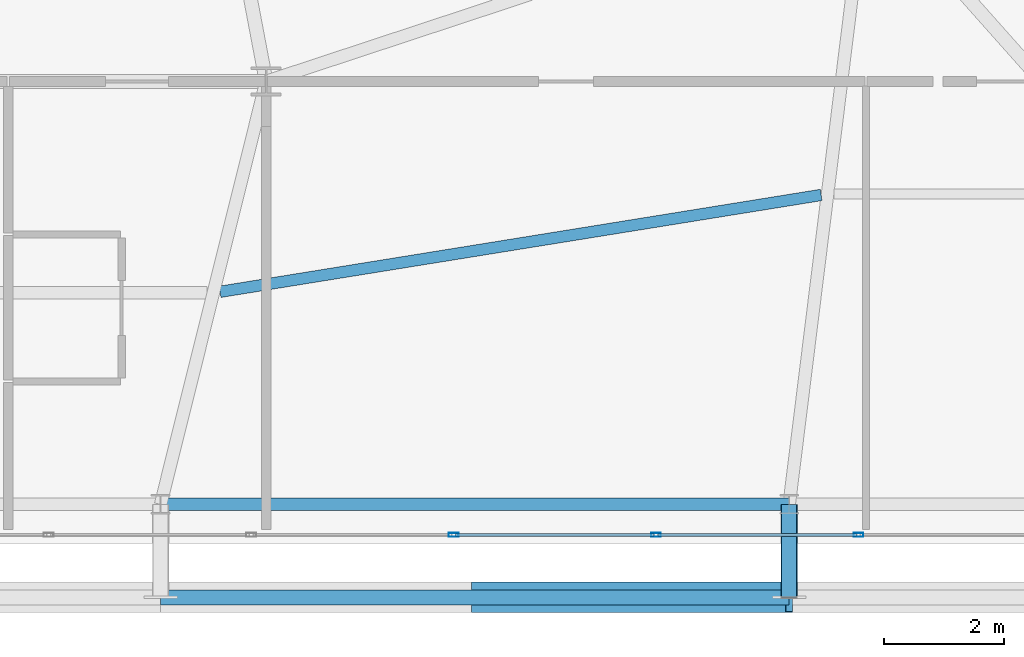
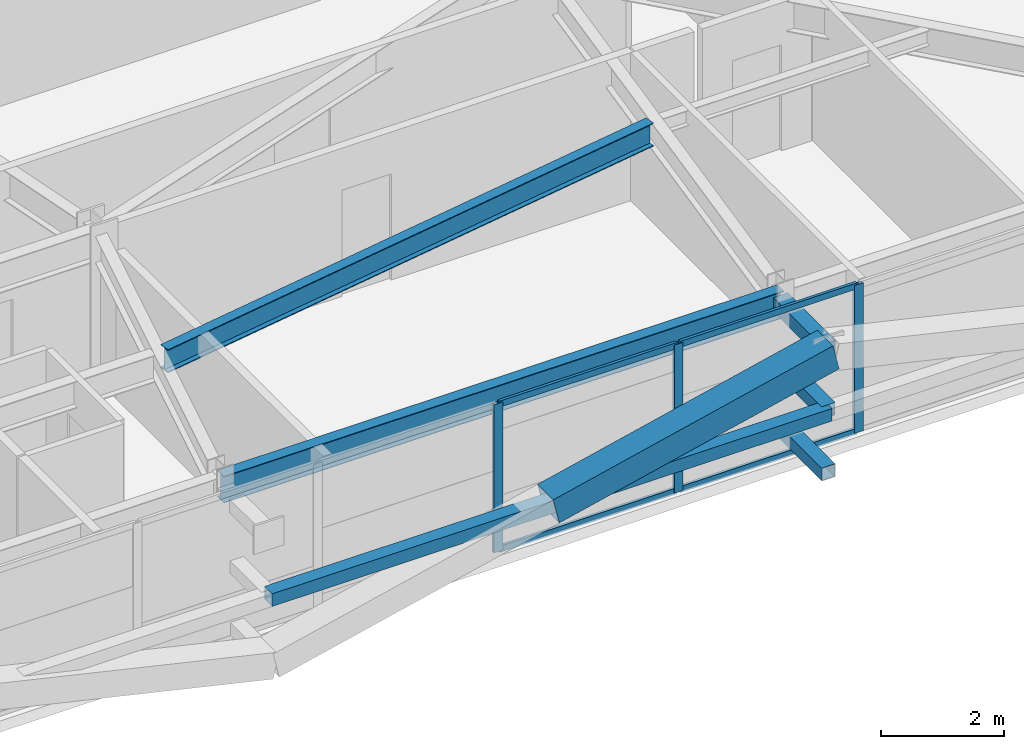
# One storey, part 21 of 59: 12 members, 2 beams, 1 element without a shape of its own.
"""IFC4 building model written with IfcOpenShell, lengths in metres."""

from ifc_helpers import new_model, si_unit, direction, frame, origin, origin_2d, place, context, subcontext, project, spatial, hollow_rectangle, i_section, extrude, source, transform, mapped, material, layer, layer_set, material_profile, profile_set, type_object, element, aggregate, save


model = new_model("IFC4")

# Units and contexts
model_context = context("Model", 3, precision=1e-05, world=origin(), true_north=direction((0.0, 1.0)))
body_context = subcontext(model_context, "Body", "Model", "MODEL_VIEW")
ifc_project = project(units=[si_unit("LENGTHUNIT", "METRE"), si_unit("AREAUNIT", "SQUARE_METRE"), si_unit("VOLUMEUNIT", "CUBIC_METRE"), si_unit("PLANEANGLEUNIT", "RADIAN"), si_unit("MASSUNIT", "GRAM", prefix="KILO")], contexts=[model_context])

# Site, building, storey
site_placement = place(None, origin())
site = spatial("IfcSite", under=ifc_project, at=site_placement, CompositionType="ELEMENT")
building_placement = place(site_placement, origin())
building = spatial("IfcBuilding", under=site, at=building_placement, Name="Taldren Reach Tower", CompositionType="ELEMENT")
storey_placement = place(building_placement, frame((0.0, 0.0, 45.14990234375)))
storey = spatial("IfcBuildingStorey", under=building, at=storey_placement, Name="L13", CompositionType="ELEMENT", Elevation=45.14990234375)

# Beams
ifc_material_1 = material(Name="Steel Gr 350 (350PLUS)", Category="steel")
ifc_material_profile_1 = material_profile(ifc_material_1, i_section(OverallWidth=0.208984375, OverallDepth=0.528076171875, WebThickness=0.009521484375, FlangeThickness=0.01318359375, at=origin_2d()), Name="530UB82.0")
ifc_profile_set_1 = profile_set([ifc_material_profile_1], Name="Steel Gr 350 (350PLUS)")
beam_type_1 = type_object("IfcBeamType", Name="SP-UB530B", PredefinedType="SPANDREL", material=ifc_profile_set_1)
shared_shape_1 = source(origin(), body_context, "Body", "SweptSolid", [
    extrude(i_section(OverallWidth=0.208984375, OverallDepth=0.528076171875, WebThickness=0.009521484375, FlangeThickness=0.01318359375, at=origin_2d()), origin(), (0.0, 0.0, 1.0), 10.47998046875),
])
beam_1_placement = place(storey_placement, frame((40.239990234375, 2.14990234375, 2.666015625), z_axis=(1.0, 0.0, 0.0), x_axis=(0.0, 1.0, 0.0)))
element("IfcBeam", 1, at=beam_1_placement, inside=storey, type_object=beam_type_1, Name="Perimeter spandrel B1 S4-S5 L13", PredefinedType="SPANDREL", context=body_context, shape_type="MappedRepresentation", body=[
    mapped(shared_shape_1, transform((0.0, 0.0, 0.0), scale=1.0)),
])
ifc_material_profile_2 = material_profile(ifc_material_1, i_section(OverallWidth=0.19091796875, OverallDepth=0.4599609375, WebThickness=0.010009765625, FlangeThickness=0.01611328125, at=origin_2d()), Name="460UB82.1")
ifc_profile_set_2 = profile_set([ifc_material_profile_2], Name="Steel Gr 350 (350PLUS)")
beam_type_2 = type_object("IfcBeamType", Name="BM-UB460A", PredefinedType="BEAM", material=ifc_profile_set_2)
shared_shape_2 = source(origin(), body_context, "Body", "SweptSolid", [
    extrude(i_section(OverallWidth=0.19091796875, OverallDepth=0.4599609375, WebThickness=0.010009765625, FlangeThickness=0.01611328125, at=origin_2d()), origin(), (0.0, 0.0, 1.0), 10.1494140625),
])
beam_2_placement = place(storey_placement, frame((41.232177734375, 5.693115234375, 2.7001953125), z_axis=(0.987266967452, 0.159072106224, 0.0), x_axis=(-0.159072106224, 0.987266967452, 0.0)))
element("IfcBeam", 2, at=beam_2_placement, inside=storey, type_object=beam_type_2, Name="Secondary floor beam B1 J4 L13", PredefinedType="BEAM", context=body_context, shape_type="MappedRepresentation", body=[
    mapped(shared_shape_2, transform((0.0, 0.0, 0.0), scale=1.0)),
])

# Members
ifc_material_2 = material(Name="Steel Gr 450 (C450L0)", Category="steel")
ifc_material_profile_3 = material_profile(ifc_material_2, hollow_rectangle(XDim=0.27490234375, YDim=0.27490234375, WallThickness=0.00927734375, at=origin_2d()), Name="275x275x9.3SHS")
ifc_profile_set_3 = profile_set([ifc_material_profile_3], Name="Steel Gr 450 (C450L0)")
member_type_1 = type_object("IfcMemberType", Name="MB-TIE273", PredefinedType="STRUT", material=ifc_profile_set_3)
shared_shape_3 = source(origin(), body_context, "Body", "SweptSolid", [
    extrude(hollow_rectangle(XDim=0.27490234375, YDim=0.27490234375, WallThickness=0.00927734375, at=origin_2d()), origin(), (0.0, 0.0, 1.0), 1.5498046875),
])
member_1_placement = place(storey_placement, frame((50.719970703125, 2.14990234375, 2.650146484375), z_axis=(0.0, -1.0, 0.0), x_axis=(1.0, 0.0, 0.0)))
element("IfcMember", 3, at=member_1_placement, inside=storey, type_object=member_type_1, Name="Exoskeleton diaphragm tie strut B1-S5 L13", PredefinedType="STRUT", context=body_context, shape_type="MappedRepresentation", body=[
    mapped(shared_shape_3, transform((0.0, 0.0, 0.0), scale=1.0)),
])
ifc_material_profile_4 = material_profile(ifc_material_2, hollow_rectangle(XDim=0.510009765625, YDim=0.510009765625, WallThickness=0.02001953125, at=origin_2d()), Name="510x510x20.0SHS")
ifc_profile_set_4 = profile_set([ifc_material_profile_4], Name="Steel Gr 450 (C450L0)")
member_type_2 = type_object("IfcMemberType", Name="MB-EXO508", PredefinedType="BRACE", material=ifc_profile_set_4)
shared_shape_4 = source(origin(), body_context, "Body", "SweptSolid", [
    extrude(hollow_rectangle(XDim=0.510009765625, YDim=0.510009765625, WallThickness=0.02001953125, at=origin_2d()), origin(), (0.0, 0.0, 1.0), 5.37890625),
])
member_2_placement = place(storey_placement, frame((45.47998046875, 0.60009765625, 1.43505859375), z_axis=(0.97415197996, 0.0, 0.225893603143), x_axis=(0.0, 1.0, 0.0)))
element("IfcMember", 4, at=member_2_placement, inside=storey, type_object=member_type_2, Name="Exoskeleton Diagrid Brace B1-S4 L13", PredefinedType="BRACE", context=body_context, shape_type="MappedRepresentation", body=[
    mapped(shared_shape_4, transform((0.0, 0.0, 0.0), scale=1.0)),
])
ifc_material_3 = material(Name="Steel Gr 350 (C350L0)", Category="steel")
ifc_material_profile_5 = material_profile(ifc_material_3, hollow_rectangle(XDim=0.25, YDim=0.25, WallThickness=0.010009765625, at=origin_2d()), Name="250x250x10.0SHS")
ifc_profile_set_5 = profile_set([ifc_material_profile_5], Name="Steel Gr 350 (C350L0)")
member_type_3 = type_object("IfcMemberType", Name="MB-POST250", PredefinedType="POST", material=ifc_profile_set_5)
shared_shape_5 = source(origin(), body_context, "Body", "SweptSolid", [
    extrude(hollow_rectangle(XDim=0.25, YDim=0.25, WallThickness=0.010009765625, at=origin_2d()), origin(), (0.0, 0.0, 1.0), 10.47998046875),
])
member_3_placement = place(storey_placement, frame((40.239990234375, 0.60009765625, 1.43505859375), z_axis=(1.0, 0.0, 0.0), x_axis=(0.0, 1.0, 0.0)))
element("IfcMember", 5, at=member_3_placement, inside=storey, type_object=member_type_3, Name="Exoskeleton mid-height ring chord B1-S4 L13", PredefinedType="POST", context=body_context, shape_type="MappedRepresentation", body=[
    mapped(shared_shape_5, transform((0.0, 0.0, 0.0), scale=1.0)),
])
shared_shape_6 = source(origin(), body_context, "Body", "SweptSolid", [
    extrude(hollow_rectangle(XDim=0.25, YDim=0.25, WallThickness=0.010009765625, at=origin_2d()), origin(), (0.0, 0.0, 1.0), 1.5498046875),
])
for number, where, z_axis, x_axis, name in (
    (6, (50.719970703125, 2.14990234375, 0.22021484375), (0.0, -1.0, 0.0), (1.0, 0.0, 0.0), "Exoskeleton base diaphragm tie strut B1-S5 L13"),
    (7, (50.719970703125, 2.14990234375, 1.43505859375), (0.0, -1.0, 0.0), (1.0, 0.0, 0.0), "Exoskeleton mid-tier diaphragm tie B1-S5 L13"),
):
    element("IfcMember", number, at=place(storey_placement, frame(where, z_axis=z_axis, x_axis=x_axis)), inside=storey, type_object=member_type_3, Name=name, PredefinedType="POST", context=body_context, shape_type="MappedRepresentation", body=[
        mapped(shared_shape_6, transform((0.0, 0.0, 0.0), scale=1.0)),
    ])

# Curtain wall, members
ifc_material_4 = material(Name="Aluminium and Low-E Glass Unitised System", Category="aluminium")
ifc_layer = layer(ifc_material_4, 0.159912109375)
ifc_layer_set = layer_set([ifc_layer], Name="Aluminium and Low-E Glass Unitised System")
curtain_wall_type = type_object("IfcCurtainWallType", Name="CW-SYS-2", PredefinedType="NOTDEFINED", material=ifc_layer_set)
curtain_wall_placement = place(storey_placement, origin())
curtain_wall = element("IfcCurtainWall", 8, at=curtain_wall_placement, inside=storey, type_object=curtain_wall_type, Name="Unitised curtain wall CW-L13-S", PredefinedType="NOTDEFINED")
ifc_material_5 = material(Name="Anodised Aluminium 6063-T6", Category="aluminium")
ifc_material_profile_6 = material_profile(ifc_material_5, hollow_rectangle(XDim=0.054931640625, YDim=0.1201171875, WallThickness=0.0029296875, at=origin_2d()), Name="ALU-120x55x3RHS")
ifc_profile_set_6 = profile_set([ifc_material_profile_6], Name="Anodised Aluminium 6063-T6")
member_type_4 = type_object("IfcMemberType", Name="CW-TRN-135", PredefinedType="USERDEFINED", material=ifc_profile_set_6)
shared_shape_7 = source(origin(), body_context, "Body", "SweptSolid", [
    extrude(hollow_rectangle(XDim=0.054931640625, YDim=0.1201171875, WallThickness=0.0029296875, at=origin_2d()), origin(), (0.0, 0.0, 1.0), 3.31005859375),
])
member_4_placement = place(storey_placement, frame((45.157470703125, 1.639892578125, 0.027587890625), z_axis=(1.0, 0.0, 0.0), x_axis=(0.0, 1.0, 0.0)))
member_4 = element("IfcMember", 9, at=member_4_placement, type_object=member_type_4, Name="CW-2 transom 12.1", ObjectType="TRANSOM", PredefinedType="USERDEFINED", context=body_context, shape_type="MappedRepresentation", body=[
    mapped(shared_shape_7, transform((0.0, 0.0, 0.0), scale=1.0)),
])
member_5_placement = place(storey_placement, frame((45.157470703125, 1.639892578125, 2.902587890625), z_axis=(1.0, 0.0, 0.0), x_axis=(0.0, 1.0, 0.0)))
member_5 = element("IfcMember", 10, at=member_5_placement, type_object=member_type_4, Name="CW-2 transom 12.2", ObjectType="TRANSOM", PredefinedType="USERDEFINED", context=body_context, shape_type="MappedRepresentation", body=[
    mapped(shared_shape_7, transform((0.0, 0.0, 0.0), scale=1.0)),
])
member_6_placement = place(storey_placement, frame((48.532470703125, 1.639892578125, 0.027587890625), z_axis=(1.0, 0.0, 0.0), x_axis=(0.0, 1.0, 0.0)))
member_6 = element("IfcMember", 11, at=member_6_placement, type_object=member_type_4, Name="CW-2 transom 13.1", ObjectType="TRANSOM", PredefinedType="USERDEFINED", context=body_context, shape_type="MappedRepresentation", body=[
    mapped(shared_shape_7, transform((0.0, 0.0, 0.0), scale=1.0)),
])
member_7_placement = place(storey_placement, frame((48.532470703125, 1.639892578125, 2.902587890625), z_axis=(1.0, 0.0, 0.0), x_axis=(0.0, 1.0, 0.0)))
member_7 = element("IfcMember", 12, at=member_7_placement, type_object=member_type_4, Name="CW-2 transom 13.2", ObjectType="TRANSOM", PredefinedType="USERDEFINED", context=body_context, shape_type="MappedRepresentation", body=[
    mapped(shared_shape_7, transform((0.0, 0.0, 0.0), scale=1.0)),
])
ifc_material_profile_7 = material_profile(ifc_material_5, hollow_rectangle(XDim=0.06494140625, YDim=0.1650390625, WallThickness=0.00390625, at=origin_2d()), Name="ALU-165x65x4RHS")
ifc_profile_set_7 = profile_set([ifc_material_profile_7], Name="Anodised Aluminium 6063-T6")
member_type_5 = type_object("IfcMemberType", Name="CW-MUL-165", PredefinedType="MULLION", material=ifc_profile_set_7)
shared_shape_8 = source(origin(), body_context, "Body", "SweptSolid", [
    extrude(hollow_rectangle(XDim=0.06494140625, YDim=0.1650390625, WallThickness=0.00390625, at=origin_2d()), origin(), (0.0, 0.0, 1.0), 2.93017578125),
])
member_8_placement = place(storey_placement, frame((45.125, 1.639892578125, 0.0), z_axis=(0.0, 0.0, 1.0), x_axis=(0.0, 1.0, 0.0)))
member_8 = element("IfcMember", 13, at=member_8_placement, type_object=member_type_5, Name="CW-2 mullion 12", PredefinedType="MULLION", context=body_context, shape_type="MappedRepresentation", body=[
    mapped(shared_shape_8, transform((0.0, 0.0, 0.0), scale=1.0)),
])
member_9_placement = place(storey_placement, frame((48.5, 1.639892578125, 0.0), z_axis=(0.0, 0.0, 1.0), x_axis=(0.0, 1.0, 0.0)))
member_9 = element("IfcMember", 14, at=member_9_placement, type_object=member_type_5, Name="CW-2 mullion 13", PredefinedType="MULLION", context=body_context, shape_type="MappedRepresentation", body=[
    mapped(shared_shape_8, transform((0.0, 0.0, 0.0), scale=1.0)),
])
member_10_placement = place(storey_placement, frame((51.875, 1.639892578125, 0.0), z_axis=(0.0, 0.0, 1.0), x_axis=(0.0, 1.0, 0.0)))
member_10 = element("IfcMember", 15, at=member_10_placement, type_object=member_type_5, Name="CW-2 mullion 14", PredefinedType="MULLION", context=body_context, shape_type="MappedRepresentation", body=[
    mapped(shared_shape_8, transform((0.0, 0.0, 0.0), scale=1.0)),
])
aggregate(curtain_wall, [member_8, member_9, member_10, member_4, member_5, member_6, member_7])

save(model, "model.ifc")
